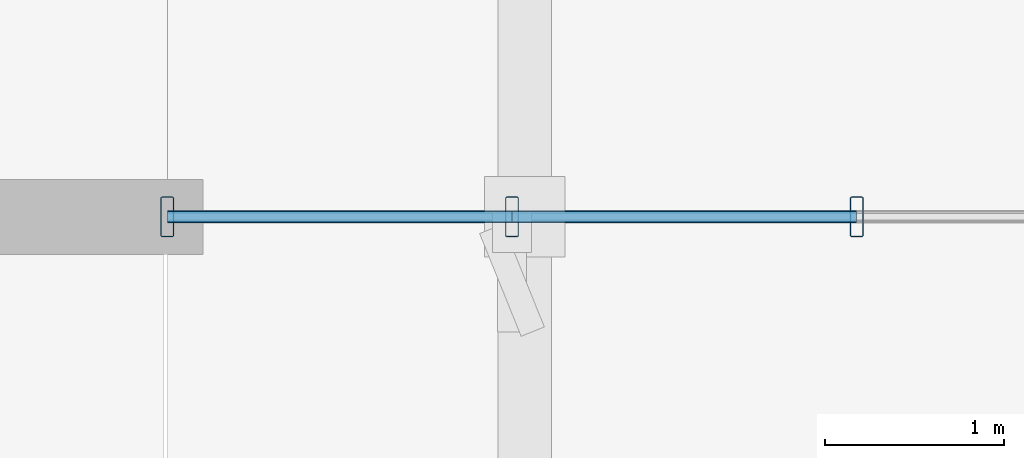
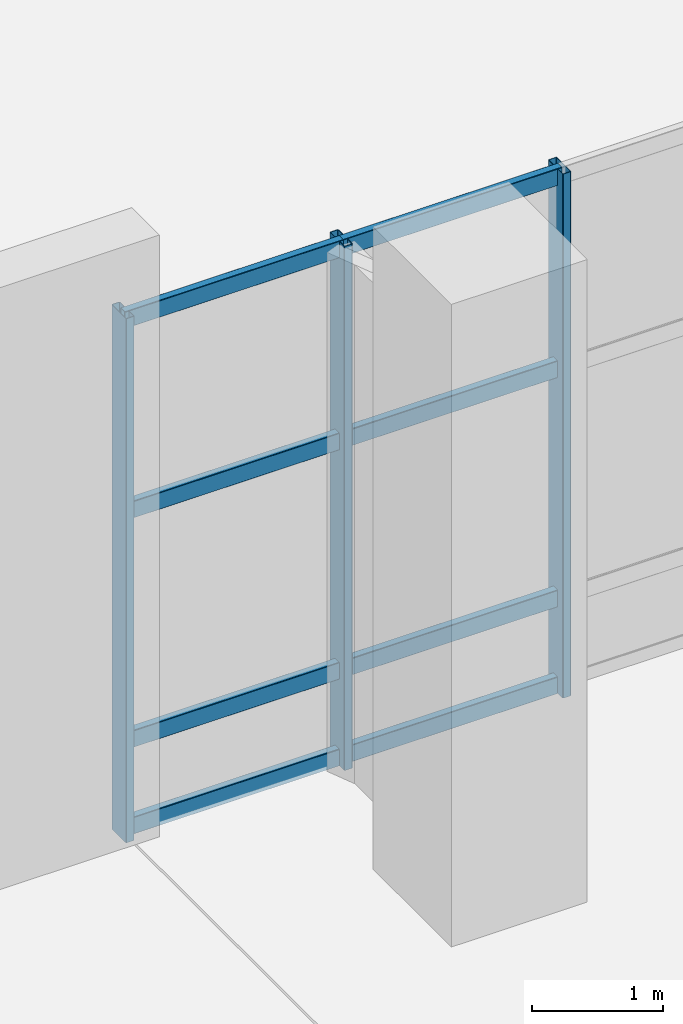
# One storey, part 79 of 163: 11 members, 1 element without a shape of its own.
"""IFC4 building model written with IfcOpenShell, lengths in metres."""

from ifc_helpers import new_model, si_unit, direction, frame, origin, origin_2d, place, context, subcontext, project, spatial, hollow_rectangle, extrude, material, layer, layer_set, material_profile, profile_set, type_object, element, aggregate, save


model = new_model("IFC4")

# Units and contexts
model_context = context("Model", 3, precision=1e-05, world=origin(), true_north=direction((0.0, 1.0)))
body_context = subcontext(model_context, "Body", "Model", "MODEL_VIEW")
ifc_project = project(units=[si_unit("LENGTHUNIT", "METRE"), si_unit("AREAUNIT", "SQUARE_METRE"), si_unit("VOLUMEUNIT", "CUBIC_METRE"), si_unit("PLANEANGLEUNIT", "RADIAN"), si_unit("MASSUNIT", "GRAM", prefix="KILO")], contexts=[model_context])

# Site, building, storey
site_placement = place(None, origin())
site = spatial("IfcSite", under=ifc_project, at=site_placement, CompositionType="ELEMENT")
building_placement = place(site_placement, origin())
building = spatial("IfcBuilding", under=site, at=building_placement, Name="Khorjan Park Terminus", CompositionType="ELEMENT")
storey_placement = place(building_placement, origin())
storey = spatial("IfcBuildingStorey", under=building, at=storey_placement, Name="L00", CompositionType="ELEMENT", Elevation=0.0)

# Curtain wall, members
ifc_material = material(Name="Anodized Bronze Aluminium", Category="aluminium")
ifc_layer = layer(ifc_material, 0.22)
ifc_layer_set = layer_set([ifc_layer], Name="Anodized Bronze Aluminium")
curtain_wall_type = type_object("IfcCurtainWallType", Name="CW-OPS-B", PredefinedType="NOTDEFINED", material=ifc_layer_set)
curtain_wall_placement = place(storey_placement, origin())
curtain_wall = element("IfcCurtainWall", 1, at=curtain_wall_placement, inside=storey, type_object=curtain_wall_type, Name="Unitized curtain wall CW-B (CW-V5L-S-L00-1)", PredefinedType="NOTDEFINED")
ifc_material_profile_1 = material_profile(ifc_material, hollow_rectangle(XDim=0.075, YDim=0.225, WallThickness=0.005, InnerFilletRadius=0.005, OuterFilletRadius=0.01, at=origin_2d()), Name="ALM 75x225x5")
ifc_profile_set_1 = profile_set([ifc_material_profile_1], Name="Anodized Bronze Aluminium")
member_type_1 = type_object("IfcMemberType", Name="ML-ALM-225", PredefinedType="MULLION", material=ifc_profile_set_1)
member_1_placement = place(storey_placement, frame((134.0, 28.0, -0.035), z_axis=(0.0, 0.0, 1.0), x_axis=(1.0, 0.0, 0.0)))
member_1 = element("IfcMember", 2, at=member_1_placement, type_object=member_type_1, Name="Curtain-wall mullion ML-22 (CW-V5L-S-L00-1-0)", PredefinedType="MULLION", context=body_context, shape_type="SweptSolid", body=[
    extrude(hollow_rectangle(XDim=0.075, YDim=0.225, WallThickness=0.005, InnerFilletRadius=0.005, OuterFilletRadius=0.01, at=origin_2d()), origin(), (0.0, 0.0, 1.0), 4.895),
])
member_2_placement = place(storey_placement, frame((135.929, 28.0, -0.035), z_axis=(0.0, 0.0, 1.0), x_axis=(1.0, 0.0, 0.0)))
member_2 = element("IfcMember", 3, at=member_2_placement, type_object=member_type_1, Name="Curtain-wall mullion ML-22 (CW-V5L-S-L00-1-1)", PredefinedType="MULLION", context=body_context, shape_type="SweptSolid", body=[
    extrude(hollow_rectangle(XDim=0.075, YDim=0.225, WallThickness=0.005, InnerFilletRadius=0.005, OuterFilletRadius=0.01, at=origin_2d()), origin(), (0.0, 0.0, 1.0), 4.895),
])
member_3_placement = place(storey_placement, frame((137.858, 28.0, -0.035), z_axis=(0.0, 0.0, 1.0), x_axis=(1.0, 0.0, 0.0)))
member_3 = element("IfcMember", 4, at=member_3_placement, type_object=member_type_1, Name="Curtain-wall mullion ML-22 (CW-V5L-S-L00-1-2)", PredefinedType="MULLION", context=body_context, shape_type="SweptSolid", body=[
    extrude(hollow_rectangle(XDim=0.075, YDim=0.225, WallThickness=0.005, InnerFilletRadius=0.005, OuterFilletRadius=0.01, at=origin_2d()), origin(), (0.0, 0.0, 1.0), 4.895),
])
ifc_material_profile_2 = material_profile(ifc_material, hollow_rectangle(XDim=0.07, YDim=0.16, WallThickness=0.004, InnerFilletRadius=0.004, OuterFilletRadius=0.008, at=origin_2d()), Name="ALT 70x160x4")
ifc_profile_set_2 = profile_set([ifc_material_profile_2], Name="Anodized Bronze Aluminium")
member_type_2 = type_object("IfcMemberType", Name="TR-ALT-160", PredefinedType="USERDEFINED", material=ifc_profile_set_2)
member_4_placement = place(storey_placement, frame((134.0, 28.0, 0.04), z_axis=(1.0, 0.0, 0.0), x_axis=(0.0, 1.0, 0.0)))
member_4 = element("IfcMember", 5, at=member_4_placement, type_object=member_type_2, Name="Curtain-wall transom TR-16 (CW-V5L-S-L00-1-0-1)", ObjectType="TRANSOM", PredefinedType="USERDEFINED", context=body_context, shape_type="SweptSolid", body=[
    extrude(hollow_rectangle(XDim=0.07, YDim=0.16, WallThickness=0.004, InnerFilletRadius=0.004, OuterFilletRadius=0.008, at=origin_2d()), origin(), (0.0, 0.0, 1.0), 1.929),
])
member_5_placement = place(storey_placement, frame((134.0, 28.0, 0.85), z_axis=(1.0, 0.0, 0.0), x_axis=(0.0, 1.0, 0.0)))
member_5 = element("IfcMember", 6, at=member_5_placement, type_object=member_type_2, Name="Curtain-wall transom TR-16 (CW-V5L-S-L00-1-0-2)", ObjectType="TRANSOM", PredefinedType="USERDEFINED", context=body_context, shape_type="SweptSolid", body=[
    extrude(hollow_rectangle(XDim=0.07, YDim=0.16, WallThickness=0.004, InnerFilletRadius=0.004, OuterFilletRadius=0.008, at=origin_2d()), origin(), (0.0, 0.0, 1.0), 1.929),
])
member_6_placement = place(storey_placement, frame((134.0, 28.0, 2.9915), z_axis=(1.0, 0.0, 0.0), x_axis=(0.0, 1.0, 0.0)))
member_6 = element("IfcMember", 7, at=member_6_placement, type_object=member_type_2, Name="Curtain-wall transom TR-16 (CW-V5L-S-L00-1-0-3)", ObjectType="TRANSOM", PredefinedType="USERDEFINED", context=body_context, shape_type="SweptSolid", body=[
    extrude(hollow_rectangle(XDim=0.07, YDim=0.16, WallThickness=0.004, InnerFilletRadius=0.004, OuterFilletRadius=0.008, at=origin_2d()), origin(), (0.0, 0.0, 1.0), 1.929),
])
member_7_placement = place(storey_placement, frame((134.0, 28.0, 4.785), z_axis=(1.0, 0.0, 0.0), x_axis=(0.0, 1.0, 0.0)))
member_7 = element("IfcMember", 8, at=member_7_placement, type_object=member_type_2, Name="Curtain-wall transom TR-16 (CW-V5L-S-L00-1-0-4)", ObjectType="TRANSOM", PredefinedType="USERDEFINED", context=body_context, shape_type="SweptSolid", body=[
    extrude(hollow_rectangle(XDim=0.07, YDim=0.16, WallThickness=0.004, InnerFilletRadius=0.004, OuterFilletRadius=0.008, at=origin_2d()), origin(), (0.0, 0.0, 1.0), 1.929),
])
member_8_placement = place(storey_placement, frame((135.929, 28.0, 0.04), z_axis=(1.0, 0.0, 0.0), x_axis=(0.0, 1.0, 0.0)))
member_8 = element("IfcMember", 9, at=member_8_placement, type_object=member_type_2, Name="Curtain-wall transom TR-16 (CW-V5L-S-L00-1-1-1)", ObjectType="TRANSOM", PredefinedType="USERDEFINED", context=body_context, shape_type="SweptSolid", body=[
    extrude(hollow_rectangle(XDim=0.07, YDim=0.16, WallThickness=0.004, InnerFilletRadius=0.004, OuterFilletRadius=0.008, at=origin_2d()), origin(), (0.0, 0.0, 1.0), 1.929),
])
member_9_placement = place(storey_placement, frame((135.929, 28.0, 0.85), z_axis=(1.0, 0.0, 0.0), x_axis=(0.0, 1.0, 0.0)))
member_9 = element("IfcMember", 10, at=member_9_placement, type_object=member_type_2, Name="Curtain-wall transom TR-16 (CW-V5L-S-L00-1-1-2)", ObjectType="TRANSOM", PredefinedType="USERDEFINED", context=body_context, shape_type="SweptSolid", body=[
    extrude(hollow_rectangle(XDim=0.07, YDim=0.16, WallThickness=0.004, InnerFilletRadius=0.004, OuterFilletRadius=0.008, at=origin_2d()), origin(), (0.0, 0.0, 1.0), 1.929),
])
member_10_placement = place(storey_placement, frame((135.929, 28.0, 2.9915), z_axis=(1.0, 0.0, 0.0), x_axis=(0.0, 1.0, 0.0)))
member_10 = element("IfcMember", 11, at=member_10_placement, type_object=member_type_2, Name="Curtain-wall transom TR-16 (CW-V5L-S-L00-1-1-3)", ObjectType="TRANSOM", PredefinedType="USERDEFINED", context=body_context, shape_type="SweptSolid", body=[
    extrude(hollow_rectangle(XDim=0.07, YDim=0.16, WallThickness=0.004, InnerFilletRadius=0.004, OuterFilletRadius=0.008, at=origin_2d()), origin(), (0.0, 0.0, 1.0), 1.929),
])
member_11_placement = place(storey_placement, frame((135.929, 28.0, 4.785), z_axis=(1.0, 0.0, 0.0), x_axis=(0.0, 1.0, 0.0)))
member_11 = element("IfcMember", 12, at=member_11_placement, type_object=member_type_2, Name="Curtain-wall transom TR-16 (CW-V5L-S-L00-1-1-4)", ObjectType="TRANSOM", PredefinedType="USERDEFINED", context=body_context, shape_type="SweptSolid", body=[
    extrude(hollow_rectangle(XDim=0.07, YDim=0.16, WallThickness=0.004, InnerFilletRadius=0.004, OuterFilletRadius=0.008, at=origin_2d()), origin(), (0.0, 0.0, 1.0), 1.929),
])
aggregate(curtain_wall, [member_1, member_2, member_3, member_4, member_5, member_6, member_7, member_8, member_9, member_10, member_11])

save(model, "model.ifc")
